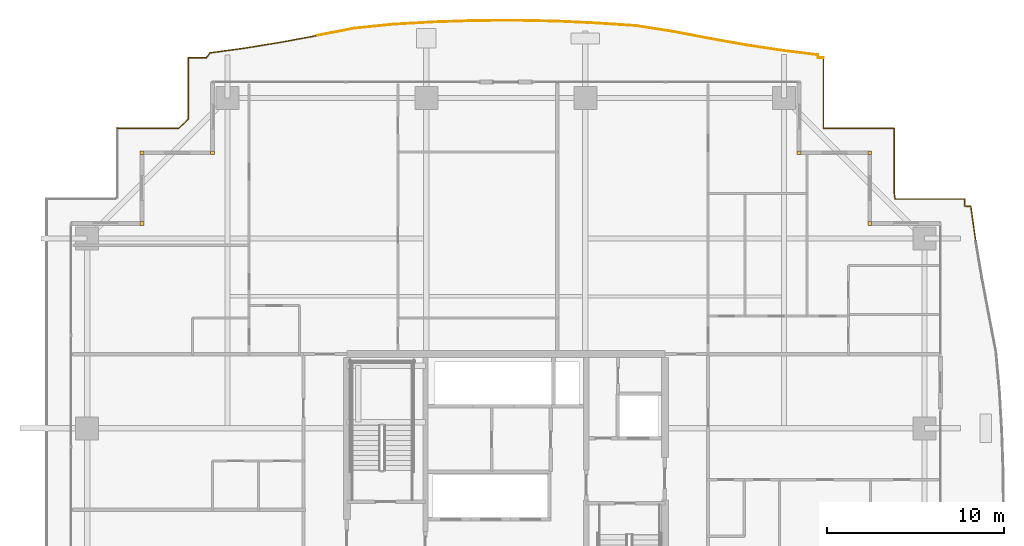
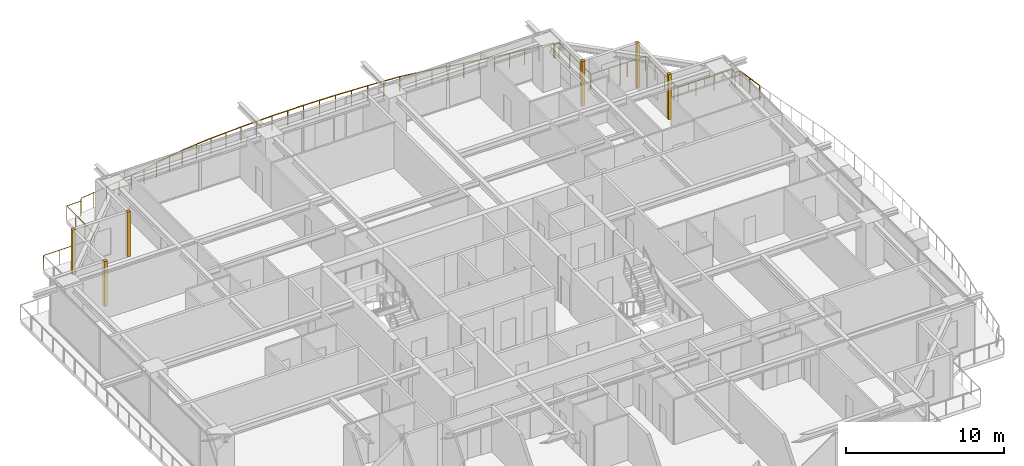
# One storey, part 33 of 33: 6 coverings, 4 railings.
"""IFC4 building model written with IfcOpenShell, lengths in metres."""

from ifc_helpers import new_model, si_unit, direction, frame, origin, origin_2d, place, context, subcontext, project, spatial, rectangle, circle, extrude, source, transform, mapped, material, layer, layer_set, type_object, element, save


model = new_model("IFC4")

# Units and contexts
model_context = context("Model", 3, precision=1e-05, world=origin(), true_north=direction((0.0, 1.0)))
body_context = subcontext(model_context, "Body", "Model", "MODEL_VIEW")
ifc_project = project(units=[si_unit("LENGTHUNIT", "METRE"), si_unit("AREAUNIT", "SQUARE_METRE"), si_unit("VOLUMEUNIT", "CUBIC_METRE"), si_unit("PLANEANGLEUNIT", "RADIAN"), si_unit("MASSUNIT", "GRAM", prefix="KILO")], contexts=[model_context])

# Site, building, storey
site_placement = place(None, origin())
site = spatial("IfcSite", under=ifc_project, at=site_placement, CompositionType="ELEMENT")
building_placement = place(site_placement, origin())
building = spatial("IfcBuilding", under=site, at=building_placement, Name="Serunith Strait Residences", CompositionType="ELEMENT")
storey_placement = place(building_placement, frame((0.0, 0.0, 150.14990234375)))
storey = spatial("IfcBuildingStorey", under=building, at=storey_placement, Name="L37", CompositionType="ELEMENT", Elevation=150.14990234375)

# Railings
ifc_material_1 = material(Name="Stainless Steel & Laminated Glass Balustrade", Category="steel")
railing_type = type_object("IfcRailingType", Name="RLG-BALC-1150", PredefinedType="BALUSTRADE", material=ifc_material_1)
railing_1_placement = place(storey_placement, frame((10.419921875, 46.3798828125, -0.0498046875)))
element("IfcRailing", 1, at=railing_1_placement, inside=storey, type_object=railing_type, Name="L37 Swirling Balcony Perimeter Balustrade 1", PredefinedType="BALUSTRADE", context=body_context, shape_type="SweptSolid", body=[
    extrude(circle(Radius=0.02392578125, at=origin_2d()), frame((0.001953125, 0.0, 1.1259765625), z_axis=(1.0, 0.0, 0.0), x_axis=(0.0, 1.0, 0.0)), (0.0, 0.0, 1.0), 3.45703125),
    extrude(circle(Radius=0.02392578125, at=origin_2d()), frame((3.46240234375, 0.00146484375, 1.1259765625), z_axis=(0.721661581007, 0.692246027434, 0.0), x_axis=(-0.692246027434, 0.721661581007, 0.0)), (0.0, 0.0, 1.0), 0.742919921875),
    extrude(circle(Radius=0.02392578125, at=origin_2d()), frame((4.0, 0.51904296875, 1.1259765625), z_axis=(0.0, 1.0, 0.0), x_axis=(-1.0, 0.0, 0.0)), (0.0, 0.0, 1.0), 3.47900390625),
    extrude(circle(Radius=0.02392578125, at=origin_2d()), frame((4.001953125, 4.0, 1.1259765625), z_axis=(1.0, 0.0, 0.0), x_axis=(0.0, 1.0, 0.0)), (0.0, 0.0, 1.0), 1.025146484375),
    extrude(circle(Radius=0.02392578125, at=origin_2d()), frame((5.0302734375, 4.001708984375, 1.1259765625), z_axis=(0.582678730642, 0.812702588194, 0.0), x_axis=(-0.812702588194, 0.582678730642, 0.0)), (0.0, 0.0, 1.0), 0.33251953125),
    extrude(circle(Radius=0.02392578125, at=origin_2d()), frame((5.22705078125, 4.273681640625, 1.1259765625), z_axis=(0.990783005449, 0.135458614026, 0.0), x_axis=(-0.135458614026, 0.990783005449, 0.0)), (0.0, 0.0, 1.0), 2.0146484375),
    extrude(circle(Radius=0.02392578125, at=origin_2d()), frame((7.22705078125, 4.547119140625, 1.1259765625), z_axis=(0.986791085599, 0.161998004253, 0.0), x_axis=(-0.161998004253, 0.986791085599, 0.0)), (0.0, 0.0, 1.0), 2.041015625),
    extrude(circle(Radius=0.02392578125, at=origin_2d()), frame((9.2451171875, 4.87841796875, 1.1259765625), z_axis=(0.983260297274, 0.182206442821, 0.0), x_axis=(-0.182206442821, 0.983260297274, 0.0)), (0.0, 0.0, 1.0), 2.0849609375),
    extrude(circle(Radius=0.02099609375, at=origin_2d()), origin(), (0.0, 0.0, 1.0), 1.099853515625),
    extrude(circle(Radius=0.02099609375, at=origin_2d()), frame((1.153564453125, 0.0, 0.0)), (0.0, 0.0, 1.0), 1.099853515625),
    extrude(circle(Radius=0.02099609375, at=origin_2d()), frame((2.307373046875, 0.0, 0.0)), (0.0, 0.0, 1.0), 1.099853515625),
    extrude(circle(Radius=0.02099609375, at=origin_2d()), frame((3.4609375, 0.0, 0.0)), (0.0, 0.0, 1.0), 1.099853515625),
    extrude(circle(Radius=0.02099609375, at=origin_2d()), frame((4.0, 0.51708984375, 0.0)), (0.0, 0.0, 1.0), 1.099853515625),
    extrude(circle(Radius=0.02099609375, at=origin_2d()), frame((4.0, 1.677978515625, 0.0)), (0.0, 0.0, 1.0), 1.099853515625),
    extrude(circle(Radius=0.02099609375, at=origin_2d()), frame((4.0, 2.839111328125, 0.0)), (0.0, 0.0, 1.0), 1.099853515625),
    extrude(circle(Radius=0.02099609375, at=origin_2d()), frame((4.0, 4.0, 0.0)), (0.0, 0.0, 1.0), 1.099853515625),
    extrude(circle(Radius=0.02099609375, at=origin_2d()), frame((5.029052734375, 4.0, 0.0)), (0.0, 0.0, 1.0), 1.099853515625),
    extrude(circle(Radius=0.02099609375, at=origin_2d()), frame((5.22509765625, 4.2734375, 0.0)), (0.0, 0.0, 1.0), 1.099853515625),
    extrude(circle(Radius=0.02099609375, at=origin_2d()), frame((6.22509765625, 4.41015625, 0.0)), (0.0, 0.0, 1.0), 1.099853515625),
    extrude(circle(Radius=0.02099609375, at=origin_2d()), frame((7.22509765625, 4.546875, 0.0)), (0.0, 0.0, 1.0), 1.099853515625),
    extrude(circle(Radius=0.02099609375, at=origin_2d()), frame((8.234130859375, 4.71240234375, 0.0)), (0.0, 0.0, 1.0), 1.099853515625),
    extrude(circle(Radius=0.02099609375, at=origin_2d()), frame((9.2431640625, 4.878173828125, 0.0)), (0.0, 0.0, 1.0), 1.099853515625),
    extrude(circle(Radius=0.02099609375, at=origin_2d()), frame((10.27001953125, 5.068359375, 0.0)), (0.0, 0.0, 1.0), 1.099853515625),
    extrude(circle(Radius=0.02099609375, at=origin_2d()), frame((11.297119140625, 5.2587890625, 0.0)), (0.0, 0.0, 1.0), 1.099853515625),
])
railing_2_placement = place(storey_placement, frame((21.717041015625, 51.638671875, -0.0498046875)))
element("IfcRailing", 2, at=railing_2_placement, inside=storey, type_object=railing_type, Name="L37 Swirling Balcony Perimeter Balustrade 2", PredefinedType="BALUSTRADE", context=body_context, shape_type="SweptSolid", body=[
    extrude(circle(Radius=0.02392578125, at=origin_2d()), frame((0.001953125, 0.00048828125, 1.1259765625), z_axis=(0.981886337705, 0.189470894411, 0.0), x_axis=(-0.189470894411, 0.981886337705, 0.0)), (0.0, 0.0, 1.0), 2.145263671875),
    extrude(circle(Radius=0.02392578125, at=origin_2d()), frame((2.1123046875, 0.407470703125, 1.1259765625), z_axis=(0.994885607985, 0.101008054255, 0.0), x_axis=(-0.101008054255, 0.994885607985, 0.0)), (0.0, 0.0, 1.0), 2.229248046875),
    extrude(circle(Radius=0.02392578125, at=origin_2d()), frame((4.334228515625, 0.6328125, 1.1259765625), z_axis=(0.998397735792, 0.056585874248, 0.0), x_axis=(-0.056585874248, 0.998397735792, 0.0)), (0.0, 0.0, 1.0), 2.274169921875),
    extrude(circle(Radius=0.02392578125, at=origin_2d()), frame((6.608642578125, 0.76171875, 1.1259765625), z_axis=(0.999455454561, 0.032996883903, 0.0), x_axis=(-0.032996883903, 0.999455454561, 0.0)), (0.0, 0.0, 1.0), 2.297119140625),
    extrude(circle(Radius=0.02392578125, at=origin_2d()), frame((8.908447265625, 0.837646484375, 1.1259765625), z_axis=(0.999979246103, 0.006442620829, 0.0), x_axis=(-0.006442620829, 0.999979246103, 0.0)), (0.0, 0.0, 1.0), 2.3076171875),
    extrude(circle(Radius=0.02392578125, at=origin_2d()), frame((11.219970703125, 0.8525390625, 1.1259765625), z_axis=(0.999791598223, -0.020414703603, 0.0), x_axis=(0.020414703603, 0.999791598223, 0.0)), (0.0, 0.0, 1.0), 2.30419921875),
    extrude(circle(Radius=0.02392578125, at=origin_2d()), frame((13.527587890625, 0.805419921875, 1.1259765625), z_axis=(0.998954652614, -0.045712164904, 0.0), x_axis=(0.045712164904, 0.998954652614, 0.0)), (0.0, 0.0, 1.0), 2.287109375),
    extrude(circle(Radius=0.02392578125, at=origin_2d()), frame((15.81640625, 0.700439453125, 1.1259765625), z_axis=(0.997745839976, -0.067106175656, 0.0), x_axis=(0.067106175656, 0.997745839976, 0.0)), (0.0, 0.0, 1.0), 2.259033203125),
    extrude(circle(Radius=0.02099609375, at=origin_2d()), origin(), (0.0, 0.0, 1.0), 1.099853515625),
    extrude(circle(Radius=0.02099609375, at=origin_2d()), frame((1.05517578125, 0.20361328125, 0.0)), (0.0, 0.0, 1.0), 1.099853515625),
    extrude(circle(Radius=0.02099609375, at=origin_2d()), frame((2.1103515625, 0.4072265625, 0.0)), (0.0, 0.0, 1.0), 1.099853515625),
    extrude(circle(Radius=0.02099609375, at=origin_2d()), frame((3.22119140625, 0.52001953125, 0.0)), (0.0, 0.0, 1.0), 1.099853515625),
    extrude(circle(Radius=0.02099609375, at=origin_2d()), frame((4.332275390625, 0.6328125, 0.0)), (0.0, 0.0, 1.0), 1.099853515625),
    extrude(circle(Radius=0.02099609375, at=origin_2d()), frame((5.469482421875, 0.697265625, 0.0)), (0.0, 0.0, 1.0), 1.099853515625),
    extrude(circle(Radius=0.02099609375, at=origin_2d()), frame((6.606689453125, 0.76171875, 0.0)), (0.0, 0.0, 1.0), 1.099853515625),
    extrude(circle(Radius=0.02099609375, at=origin_2d()), frame((7.756591796875, 0.7998046875, 0.0)), (0.0, 0.0, 1.0), 1.099853515625),
    extrude(circle(Radius=0.02099609375, at=origin_2d()), frame((8.906494140625, 0.837646484375, 0.0)), (0.0, 0.0, 1.0), 1.099853515625),
    extrude(circle(Radius=0.02099609375, at=origin_2d()), frame((10.062255859375, 0.84521484375, 0.0)), (0.0, 0.0, 1.0), 1.099853515625),
    extrude(circle(Radius=0.02099609375, at=origin_2d()), frame((11.218017578125, 0.8525390625, 0.0)), (0.0, 0.0, 1.0), 1.099853515625),
    extrude(circle(Radius=0.02099609375, at=origin_2d()), frame((12.371826171875, 0.8291015625, 0.0)), (0.0, 0.0, 1.0), 1.099853515625),
    extrude(circle(Radius=0.02099609375, at=origin_2d()), frame((13.525634765625, 0.805419921875, 0.0)), (0.0, 0.0, 1.0), 1.099853515625),
    extrude(circle(Radius=0.02099609375, at=origin_2d()), frame((14.669921875, 0.7529296875, 0.0)), (0.0, 0.0, 1.0), 1.099853515625),
    extrude(circle(Radius=0.02099609375, at=origin_2d()), frame((15.814453125, 0.70068359375, 0.0)), (0.0, 0.0, 1.0), 1.099853515625),
    extrude(circle(Radius=0.02099609375, at=origin_2d()), frame((16.943359375, 0.624755859375, 0.0)), (0.0, 0.0, 1.0), 1.099853515625),
    extrude(circle(Radius=0.02099609375, at=origin_2d()), frame((18.072265625, 0.548828125, 0.0)), (0.0, 0.0, 1.0), 1.099853515625),
])
railing_3_placement = place(storey_placement, frame((39.789306640625, 52.1875, -0.0498046875)))
element("IfcRailing", 3, at=railing_3_placement, inside=storey, type_object=railing_type, Name="L37 Swirling Balcony Perimeter Balustrade 3", PredefinedType="BALUSTRADE", context=body_context, shape_type="SweptSolid", body=[
    extrude(circle(Radius=0.02392578125, at=origin_2d()), frame((0.001953125, -0.000244140625, 1.1259765625), z_axis=(0.987758447796, -0.155991181829, 0.0), x_axis=(0.155991181829, 0.987758447796, 0.0)), (0.0, 0.0, 1.0), 2.18701171875),
    extrude(circle(Radius=0.02392578125, at=origin_2d()), frame((2.166259765625, -0.34228515625, 1.1259765625), z_axis=(0.98214341768, -0.188133747926, 0.0), x_axis=(0.188133747926, 0.98214341768, 0.0)), (0.0, 0.0, 1.0), 2.115234375),
    extrude(circle(Radius=0.02392578125, at=origin_2d()), frame((4.24755859375, -0.74072265625, 1.1259765625), z_axis=(0.984814476882, -0.173610040386, 0.0), x_axis=(0.173610040386, 0.984814476882, 0.0)), (0.0, 0.0, 1.0), 2.061767578125),
    extrude(circle(Radius=0.02392578125, at=origin_2d()), frame((6.281982421875, -1.099365234375, 1.1259765625), z_axis=(0.988749478949, -0.149580974317, 0.0), x_axis=(0.149580974317, 0.988749478949, 0.0)), (0.0, 0.0, 1.0), 2.0263671875),
    extrude(circle(Radius=0.02392578125, at=origin_2d()), frame((8.28955078125, -1.403076171875, 1.1259765625), z_axis=(0.992485630341, -0.122361242097, 0.0), x_axis=(0.122361242097, 0.992485630341, 0.0)), (0.0, 0.0, 1.0), 2.00732421875),
    extrude(circle(Radius=0.02392578125, at=origin_2d()), frame((10.28369140625, -1.65087890625, 1.1259765625), z_axis=(-0.006153729635, -0.999981065627, 0.0), x_axis=(0.999981065627, -0.006153729635, 0.0)), (0.0, 0.0, 1.0), 0.15478515625),
    extrude(circle(Radius=0.02392578125, at=origin_2d()), frame((10.28466796875, -1.8076171875, 1.1259765625), z_axis=(1.0, 0.0, 0.0), x_axis=(0.0, 1.0, 0.0)), (0.0, 0.0, 1.0), 0.303955078125),
    extrude(circle(Radius=0.02099609375, at=origin_2d()), origin(), (0.0, 0.0, 1.0), 1.099853515625),
    extrude(circle(Radius=0.02099609375, at=origin_2d()), frame((1.08203125, -0.1708984375, 0.0)), (0.0, 0.0, 1.0), 1.099853515625),
    extrude(circle(Radius=0.02099609375, at=origin_2d()), frame((2.164306640625, -0.341796875, 0.0)), (0.0, 0.0, 1.0), 1.099853515625),
    extrude(circle(Radius=0.02099609375, at=origin_2d()), frame((3.205078125, -0.541015625, 0.0)), (0.0, 0.0, 1.0), 1.099853515625),
    extrude(circle(Radius=0.02099609375, at=origin_2d()), frame((4.24560546875, -0.740478515625, 0.0)), (0.0, 0.0, 1.0), 1.099853515625),
    extrude(circle(Radius=0.02099609375, at=origin_2d()), frame((5.2626953125, -0.919921875, 0.0)), (0.0, 0.0, 1.0), 1.099853515625),
    extrude(circle(Radius=0.02099609375, at=origin_2d()), frame((6.280029296875, -1.09912109375, 0.0)), (0.0, 0.0, 1.0), 1.099853515625),
    extrude(circle(Radius=0.02099609375, at=origin_2d()), frame((7.28369140625, -1.2509765625, 0.0)), (0.0, 0.0, 1.0), 1.099853515625),
    extrude(circle(Radius=0.02099609375, at=origin_2d()), frame((8.28759765625, -1.40283203125, 0.0)), (0.0, 0.0, 1.0), 1.099853515625),
    extrude(circle(Radius=0.02099609375, at=origin_2d()), frame((9.28564453125, -1.52587890625, 0.0)), (0.0, 0.0, 1.0), 1.099853515625),
    extrude(circle(Radius=0.02099609375, at=origin_2d()), frame((10.28369140625, -1.64892578125, 0.0)), (0.0, 0.0, 1.0), 1.099853515625),
    extrude(circle(Radius=0.02099609375, at=origin_2d()), frame((10.28271484375, -1.8076171875, 0.0)), (0.0, 0.0, 1.0), 1.099853515625),
    extrude(circle(Radius=0.02099609375, at=origin_2d()), frame((10.590576171875, -1.8076171875, 0.0)), (0.0, 0.0, 1.0), 1.099853515625),
])
railing_4_placement = place(storey_placement, frame((50.3798828125, 50.3798828125, -0.0498046875)))
element("IfcRailing", 4, at=railing_4_placement, inside=storey, type_object=railing_type, Name="L37 Swirling Balcony Perimeter Balustrade 4", PredefinedType="BALUSTRADE", context=body_context, shape_type="SweptSolid", body=[
    extrude(circle(Radius=0.02392578125, at=origin_2d()), frame((0.0, -0.001953125, 1.1259765625), z_axis=(0.0, -1.0, 0.0), x_axis=(1.0, 0.0, 0.0)), (0.0, 0.0, 1.0), 3.99609375),
    extrude(circle(Radius=0.02392578125, at=origin_2d()), frame((0.001953125, -4.0, 1.1259765625), z_axis=(1.0, 0.0, 0.0), x_axis=(0.0, 1.0, 0.0)), (0.0, 0.0, 1.0), 3.99609375),
    extrude(circle(Radius=0.02392578125, at=origin_2d()), frame((4.0, -4.001953125, 1.1259765625), z_axis=(0.0, -1.0, 0.0), x_axis=(1.0, 0.0, 0.0)), (0.0, 0.0, 1.0), 3.5751953125),
    extrude(circle(Radius=0.02392578125, at=origin_2d()), frame((4.000244140625, -7.5810546875, 1.1259765625), z_axis=(0.14800382337, -0.988986788723, 0.0), x_axis=(0.988986788723, 0.14800382337, 0.0)), (0.0, 0.0, 1.0), 0.421630859375),
    extrude(circle(Radius=0.02392578125, at=origin_2d()), frame((4.06494140625, -8.0, 1.1259765625), z_axis=(1.0, 0.0, 0.0), x_axis=(0.0, 1.0, 0.0)), (0.0, 0.0, 1.0), 3.93310546875),
    extrude(circle(Radius=0.02392578125, at=origin_2d()), frame((8.0, -8.001953125, 1.1259765625), z_axis=(0.0, -1.0, 0.0), x_axis=(1.0, 0.0, 0.0)), (0.0, 0.0, 1.0), 0.392333984375),
    extrude(circle(Radius=0.02392578125, at=origin_2d()), frame((8.001953125, -8.396240234375, 1.1259765625), z_axis=(0.998387460659, -0.056766877649, 0.0), x_axis=(0.056766877649, 0.998387460659, 0.0)), (0.0, 0.0, 1.0), 0.340087890625),
    extrude(circle(Radius=0.02392578125, at=origin_2d()), frame((8.34375, -8.417724609375, 1.1259765625), z_axis=(0.140795302495, -0.990038727927, 0.0), x_axis=(0.990038727927, 0.140795302495, 0.0)), (0.0, 0.0, 1.0), 2.01611328125),
    extrude(circle(Radius=0.02099609375, at=origin_2d()), origin(), (0.0, 0.0, 1.0), 1.099853515625),
    extrude(circle(Radius=0.02099609375, at=origin_2d()), frame((0.0, -1.333251953125, 0.0)), (0.0, 0.0, 1.0), 1.099853515625),
    extrude(circle(Radius=0.02099609375, at=origin_2d()), frame((0.0, -2.666748046875, 0.0)), (0.0, 0.0, 1.0), 1.099853515625),
    extrude(circle(Radius=0.02099609375, at=origin_2d()), frame((0.0, -4.0, 0.0)), (0.0, 0.0, 1.0), 1.099853515625),
    extrude(circle(Radius=0.02099609375, at=origin_2d()), frame((1.333251953125, -4.0, 0.0)), (0.0, 0.0, 1.0), 1.099853515625),
    extrude(circle(Radius=0.02099609375, at=origin_2d()), frame((2.666748046875, -4.0, 0.0)), (0.0, 0.0, 1.0), 1.099853515625),
    extrude(circle(Radius=0.02099609375, at=origin_2d()), frame((4.0, -4.0, 0.0)), (0.0, 0.0, 1.0), 1.099853515625),
    extrude(circle(Radius=0.02099609375, at=origin_2d()), frame((4.0, -5.193115234375, 0.0)), (0.0, 0.0, 1.0), 1.099853515625),
    extrude(circle(Radius=0.02099609375, at=origin_2d()), frame((4.0, -6.385986328125, 0.0)), (0.0, 0.0, 1.0), 1.099853515625),
    extrude(circle(Radius=0.02099609375, at=origin_2d()), frame((4.0, -7.5791015625, 0.0)), (0.0, 0.0, 1.0), 1.099853515625),
    extrude(circle(Radius=0.02099609375, at=origin_2d()), frame((4.06298828125, -8.0, 0.0)), (0.0, 0.0, 1.0), 1.099853515625),
    extrude(circle(Radius=0.02099609375, at=origin_2d()), frame((5.375244140625, -8.0, 0.0)), (0.0, 0.0, 1.0), 1.099853515625),
    extrude(circle(Radius=0.02099609375, at=origin_2d()), frame((6.687744140625, -8.0, 0.0)), (0.0, 0.0, 1.0), 1.099853515625),
    extrude(circle(Radius=0.02099609375, at=origin_2d()), frame((8.0, -8.0, 0.0)), (0.0, 0.0, 1.0), 1.099853515625),
    extrude(circle(Radius=0.02099609375, at=origin_2d()), frame((8.0, -8.396240234375, 0.0)), (0.0, 0.0, 1.0), 1.099853515625),
    extrude(circle(Radius=0.02099609375, at=origin_2d()), frame((8.343505859375, -8.415771484375, 0.0)), (0.0, 0.0, 1.0), 1.099853515625),
    extrude(circle(Radius=0.02099609375, at=origin_2d()), frame((8.48583984375, -9.415771484375, 0.0)), (0.0, 0.0, 1.0), 1.099853515625),
    extrude(circle(Radius=0.02099609375, at=origin_2d()), frame((8.6279296875, -10.415771484375, 0.0)), (0.0, 0.0, 1.0), 1.099853515625),
])

# Coverings
ifc_material_2 = material(Name="Pale-Champagne Anodised Aluminium", Category="aluminium")
ifc_layer = layer(ifc_material_2, 0.219970703125, Name="Pale-Champagne Anodised Aluminium")
ifc_layer_set = layer_set([ifc_layer], Name="Pale-Champagne Anodised Aluminium")
covering_type = type_object("IfcCoveringType", Name="COV-CORN-TRIM", PredefinedType="CLADDING", material=ifc_layer_set)
shared_shape = source(origin(), body_context, "Body", "SweptSolid", [
    extrude(rectangle(XDim=0.221923828125, YDim=0.221923828125, at=origin_2d()), origin(), (0.0, 0.0, 1.0), 3.47509765625),
])
for number, where, z_axis, x_axis, name in (
    (5, (53.0, 41.0, 0.0), (0.0, 0.0, 1.0), (1.0, 0.0, 0.0), "L37 Girih Serrated Corner Trim Post 07"),
    (6, (53.0, 45.0, 0.0), (0.0, 0.0, 1.0), (1.0, 0.0, 0.0), "L37 Girih Serrated Corner Trim Post 08"),
    (7, (49.0, 45.0, 0.0), (0.0, 0.0, 1.0), (1.0, 0.0, 0.0), "L37 Girih Serrated Corner Trim Post 09"),
    (8, (15.800048828125, 45.0, 0.0), (0.0, 0.0, 1.0), (1.0, 0.0, 0.0), "L37 Girih Serrated Corner Trim Post 12"),
    (9, (11.800048828125, 45.0, 0.0), (0.0, 0.0, 1.0), (1.0, 0.0, 0.0), "L37 Girih Serrated Corner Trim Post 13"),
    (10, (11.800048828125, 41.0, 0.0), (0.0, 0.0, 1.0), (1.0, 0.0, 0.0), "L37 Girih Serrated Corner Trim Post 14"),
):
    element("IfcCovering", number, at=place(storey_placement, frame(where, z_axis=z_axis, x_axis=x_axis)), inside=storey, type_object=covering_type, Name=name, PredefinedType="CLADDING", context=body_context, shape_type="MappedRepresentation", body=[
        mapped(shared_shape, transform((0.0, 0.0, 0.0), scale=1.0)),
    ])

save(model, "model.ifc")
